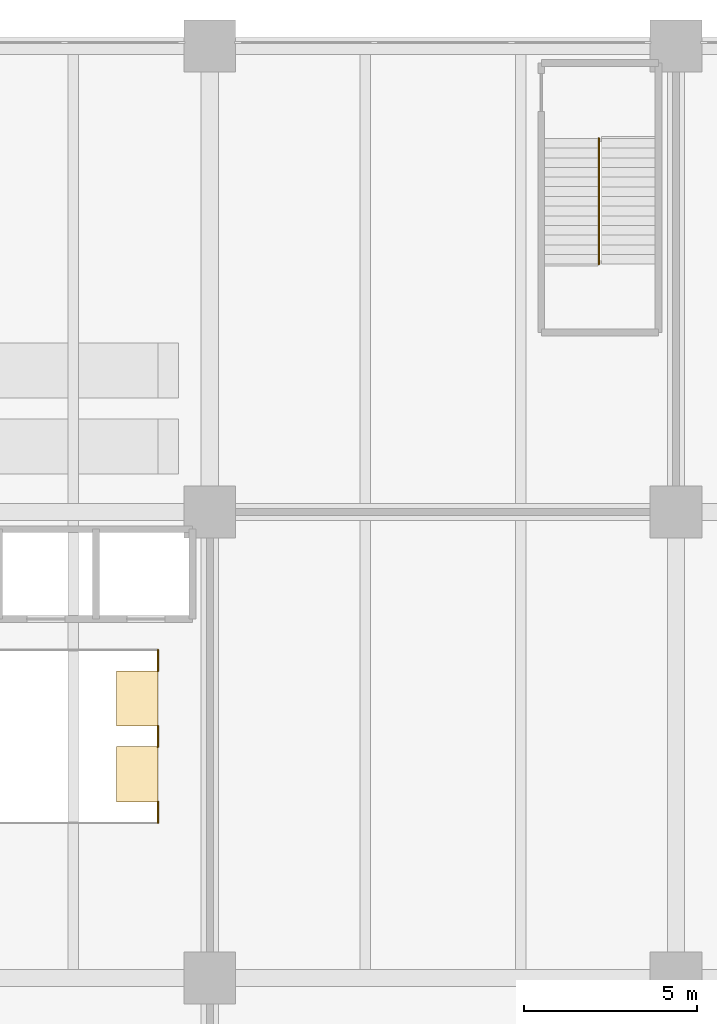
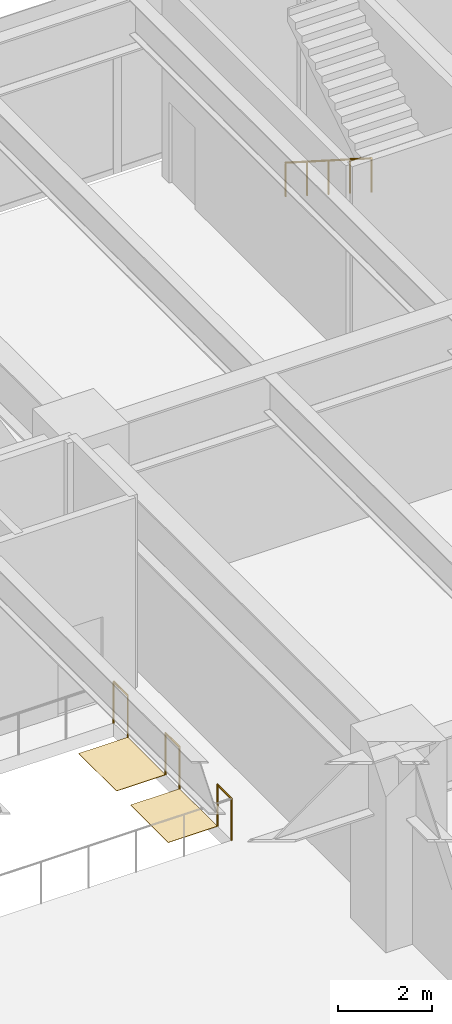
# One storey, part 31 of 32: 4 railings, 2 coverings.
"""IFC4 building model written with IfcOpenShell, lengths in metres."""

from ifc_helpers import new_model, si_unit, direction, frame, origin, origin_2d, place, context, subcontext, project, spatial, rectangle, circle, extrude, material, layer, layer_set, type_object, element, save


model = new_model("IFC4")

# Units and contexts
model_context = context("Model", 3, precision=1e-05, world=origin(), true_north=direction((0.0, 1.0)))
body_context = subcontext(model_context, "Body", "Model", "MODEL_VIEW")
ifc_project = project(units=[si_unit("LENGTHUNIT", "METRE"), si_unit("AREAUNIT", "SQUARE_METRE"), si_unit("VOLUMEUNIT", "CUBIC_METRE"), si_unit("PLANEANGLEUNIT", "RADIAN"), si_unit("MASSUNIT", "GRAM", prefix="KILO")], contexts=[model_context])

# Site, building, storey
site_placement = place(None, origin())
site = spatial("IfcSite", under=ifc_project, at=site_placement, CompositionType="ELEMENT")
building_placement = place(site_placement, origin())
building = spatial("IfcBuilding", under=site, at=building_placement, Name="Upepo Twin Towers", CompositionType="ELEMENT")
storey_placement = place(building_placement, frame((0.0, 0.0, 5.5)))
storey = spatial("IfcBuildingStorey", under=building, at=storey_placement, Name="L01", CompositionType="ELEMENT", Elevation=5.5)

# Coverings
ifc_material_1 = material(Name="Stainless steel chequer plate", Category="steel")
ifc_layer = layer(ifc_material_1, 0.011962890625)
ifc_layer_set = layer_set([ifc_layer], Name="Escalator floor plate, stainless steel chequer 12")
covering_type = type_object("IfcCoveringType", Name="Escalator floor plate, stainless steel chequer 12", PredefinedType="FLOORING", material=ifc_layer_set)
for number, where, z_axis, x_axis, name in (
    (1, (38.39990234375, 19.39990234375, -0.01220703125), (0.0, 0.0, 1.0), (1.0, 0.0, 0.0), "Escalator upper floor plate"),
    (2, (38.39990234375, 21.60009765625, -0.01220703125), (0.0, 0.0, 1.0), (1.0, 0.0, 0.0), "Escalator upper floor plate"),
):
    element("IfcCovering", number, at=place(storey_placement, frame(where, z_axis=z_axis, x_axis=x_axis)), inside=storey, type_object=covering_type, Name=name, PredefinedType="FLOORING", context=body_context, shape_type="SweptSolid", body=[
        extrude(rectangle(XDim=1.199951171875, YDim=1.60009765625, at=origin_2d()), origin(), (0.0, 0.0, 1.0), 0.011962890625),
    ])

# Railings
ifc_material_2 = material(Name="Stainless steel and glass", Category="steel")
railing_type_1 = type_object("IfcRailingType", Name="Guard 1100", PredefinedType="GUARDRAIL", material=ifc_material_2)
for number, where, name in (
    (3, (39.0, 18.0, 0.0), "Escalator well guard L01 arrival edge 1"),
    (4, (39.0, 20.199951171875, 0.0), "Escalator well guard L01 arrival edge 2"),
    (5, (39.0, 22.39990234375, 0.0), "Escalator well guard L01 arrival edge 3"),
):
    element("IfcRailing", number, at=place(storey_placement, frame(where)), inside=storey, type_object=railing_type_1, Name=name, PredefinedType="GUARDRAIL", context=body_context, shape_type="SweptSolid", body=[
        extrude(circle(Radius=0.02392578125, at=origin_2d()), frame((0.0, 0.0, 1.076171875), z_axis=(0.0, 1.0, 0.0), x_axis=(-1.0, 0.0, 0.0)), (0.0, 0.0, 1.0), 0.60009765625),
        extrude(circle(Radius=0.02099609375, at=origin_2d()), origin(), (0.0, 0.0, 1.0), 1.052001953125),
        extrude(circle(Radius=0.02099609375, at=origin_2d()), frame((0.0, 0.60009765625, 0.0)), (0.0, 0.0, 1.0), 1.052001953125),
    ])
ifc_material_3 = material(Name="Stainless steel", Category="steel")
railing_type_2 = type_object("IfcRailingType", Name="Stair handrail 900", PredefinedType="HANDRAIL", material=ifc_material_3)
railing_placement = place(storey_placement, frame((51.77001953125, 37.820068359375, 0.178466796875)))
element("IfcRailing", 6, at=railing_placement, inside=storey, type_object=railing_type_2, Name="Podium stair PS4 L01 handrail", PredefinedType="HANDRAIL", context=body_context, shape_type="SweptSolid", body=[
    extrude(circle(Radius=0.02392578125, at=origin_2d()), frame((0.0, 0.0, 0.8759765625), z_axis=(0.0, -0.843127859045, 0.537713132908), x_axis=(1.0, 0.0, 0.0)), (0.0, 0.0, 1.0), 4.3173828125),
    extrude(circle(Radius=0.02099609375, at=origin_2d()), origin(), (0.0, 0.0, 1.0), 0.851806640625),
    extrude(circle(Radius=0.02099609375, at=origin_2d()), frame((0.0, -0.91015625, 0.580322265625)), (0.0, 0.0, 1.0), 0.851806640625),
    extrude(circle(Radius=0.02099609375, at=origin_2d()), frame((0.0, -1.820068359375, 1.16064453125)), (0.0, 0.0, 1.0), 0.851806640625),
    extrude(circle(Radius=0.02099609375, at=origin_2d()), frame((0.0, -2.72998046875, 1.7412109375)), (0.0, 0.0, 1.0), 0.851806640625),
    extrude(circle(Radius=0.02099609375, at=origin_2d()), frame((0.0, -3.64013671875, 2.321533203125)), (0.0, 0.0, 1.0), 0.851806640625),
])

save(model, "model.ifc")
